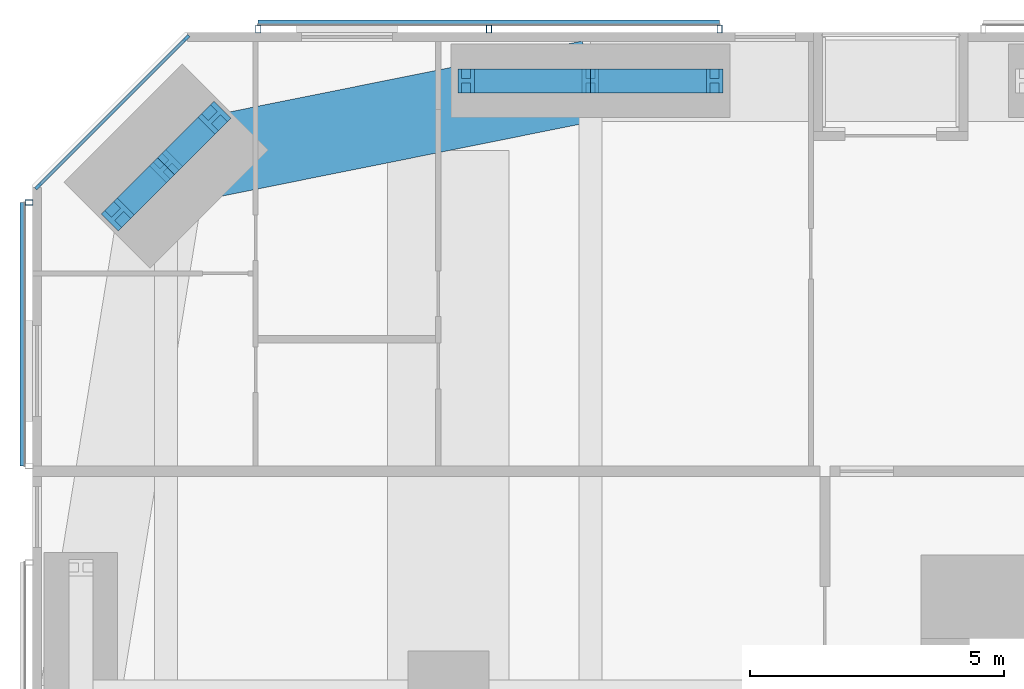
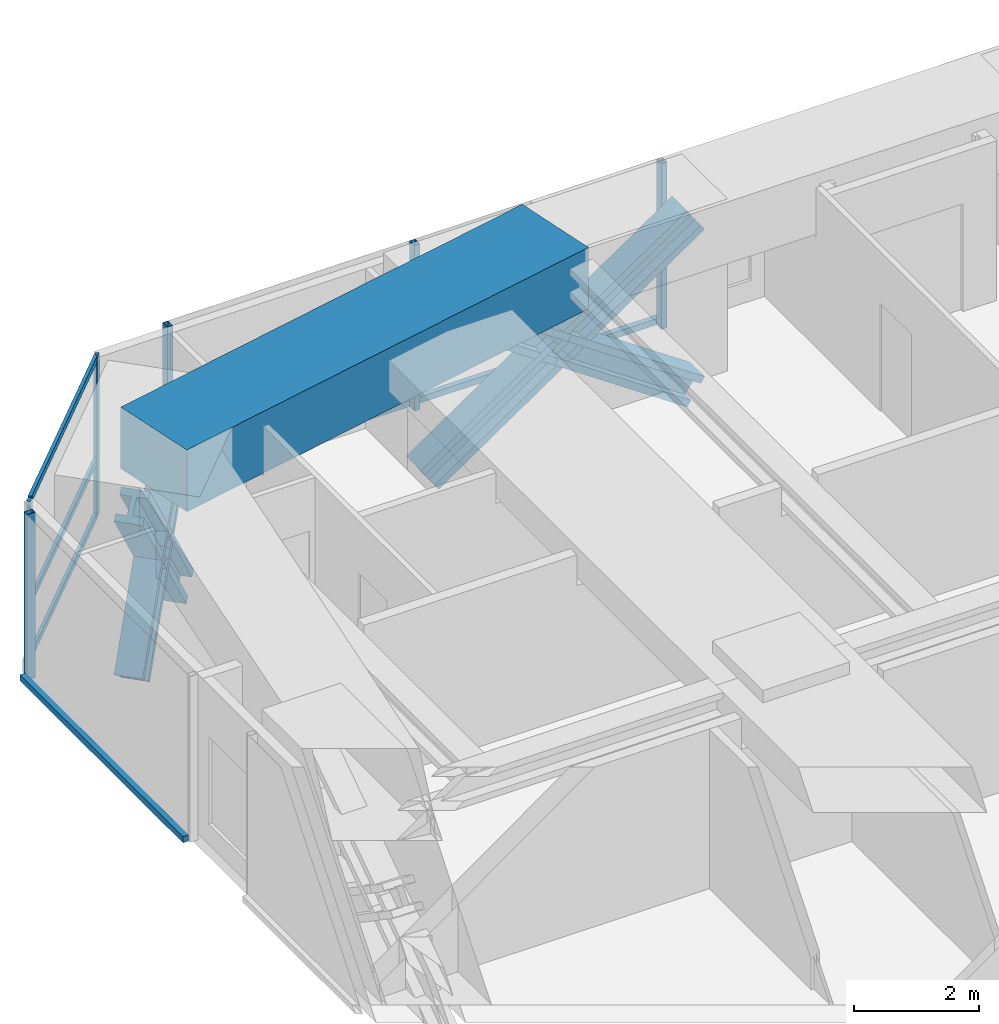
# One storey, part 12 of 24: 19 members, 1 beam, 3 elements without a shape of their own.
"""IFC4 building model written with IfcOpenShell, lengths in metres."""

from ifc_helpers import new_model, si_unit, direction, frame, origin, origin_2d, place, context, subcontext, project, spatial, rectangle, hollow_rectangle, i_section, extrude, material, material_profile, profile_set, type_object, element, aggregate, save


model = new_model("IFC4")

# Units and contexts
model_context = context("Model", 3, precision=1e-05, world=origin(), true_north=direction((0.0, 1.0)))
body_context = subcontext(model_context, "Body", "Model", "MODEL_VIEW")
ifc_project = project(units=[si_unit("LENGTHUNIT", "METRE"), si_unit("AREAUNIT", "SQUARE_METRE"), si_unit("VOLUMEUNIT", "CUBIC_METRE"), si_unit("PLANEANGLEUNIT", "RADIAN"), si_unit("MASSUNIT", "GRAM", prefix="KILO")], contexts=[model_context])

# Site, building, storey
site_placement = place(None, origin())
site = spatial("IfcSite", under=ifc_project, at=site_placement, CompositionType="ELEMENT")
building_placement = place(site_placement, origin())
building = spatial("IfcBuilding", under=site, at=building_placement, Name="Jalousie Tower", CompositionType="ELEMENT")
storey_placement = place(building_placement, frame((0.0, 0.0, 54.5)))
storey = spatial("IfcBuildingStorey", under=building, at=storey_placement, Name="L14", CompositionType="ELEMENT", Elevation=54.5)

# Curtain wall, members
ifc_material_1 = material(Name="Aluminium curtain wall", Category="aluminium")
curtain_wall_type_1 = type_object("IfcCurtainWallType", Name="CORNER WINDOW WALL", PredefinedType="USERDEFINED", material=ifc_material_1)
curtain_wall_1_placement = place(storey_placement, origin())
curtain_wall_1 = element("IfcCurtainWall", 1, at=curtain_wall_1_placement, inside=storey, type_object=curtain_wall_type_1, Name="Corner Window Wall L14 6", ObjectType="CORNER WINDOW WALL", PredefinedType="USERDEFINED")
ifc_material_2 = material(Name="Aluminium mullion", Category="aluminium")
ifc_material_profile_1 = material_profile(ifc_material_2, rectangle(XDim=0.06005859375, YDim=0.14990234375, at=origin_2d()), Name="MULLION 60x150")
ifc_profile_set_1 = profile_set([ifc_material_profile_1], Name="Aluminium mullion")
member_type_1 = type_object("IfcMemberType", Name="CORNER WINDOW WALL MULLION", PredefinedType="MULLION", material=ifc_profile_set_1)
member_1_placement = place(storey_placement, frame((5.030029296875, 37.891357421875, 0.0), z_axis=(0.0, 0.0, 1.0), x_axis=(0.707106781187, -0.707106781187, 0.0)))
member_1 = element("IfcMember", 2, at=member_1_placement, type_object=member_type_1, Name="CW-C mullion 1", PredefinedType="MULLION", context=body_context, shape_type="SweptSolid", body=[
    extrude(rectangle(XDim=0.06005859375, YDim=0.14990234375, at=origin_2d()), origin(), (0.0, 0.0, 1.0), 3.110107421875),
])
member_2_placement = place(storey_placement, frame((2.108642578125, 34.969970703125, 0.0), z_axis=(0.0, 0.0, 1.0), x_axis=(0.707106781187, -0.707106781187, 0.0)))
member_2 = element("IfcMember", 3, at=member_2_placement, type_object=member_type_1, Name="CW-C mullion 2", PredefinedType="MULLION", context=body_context, shape_type="SweptSolid", body=[
    extrude(rectangle(XDim=0.06005859375, YDim=0.14990234375, at=origin_2d()), origin(), (0.0, 0.0, 1.0), 3.110107421875),
])
ifc_material_3 = material(Name="Aluminium transom", Category="aluminium")
ifc_material_profile_2 = material_profile(ifc_material_3, rectangle(XDim=0.06005859375, YDim=0.1201171875, at=origin_2d()), Name="TRANSOM 60x120")
ifc_profile_set_2 = profile_set([ifc_material_profile_2], Name="Aluminium transom")
member_type_2 = type_object("IfcMemberType", Name="CORNER WINDOW WALL TRANSOM", PredefinedType="USERDEFINED", material=ifc_profile_set_2)
member_3_placement = place(storey_placement, frame((5.0087890625, 37.8701171875, 0.030029296875), z_axis=(-0.707106781187, -0.707106781187, 0.0), x_axis=(0.707106781187, -0.707106781187, 0.0)))
member_3 = element("IfcMember", 4, at=member_3_placement, type_object=member_type_2, Name="CW-C transom 1.1", ObjectType="TRANSOM", PredefinedType="USERDEFINED", context=body_context, shape_type="SweptSolid", body=[
    extrude(rectangle(XDim=0.06005859375, YDim=0.1201171875, at=origin_2d()), origin(), (0.0, 0.0, 1.0), 4.0712890625),
])
member_4_placement = place(storey_placement, frame((5.0087890625, 37.8701171875, 1.10009765625), z_axis=(-0.707106781187, -0.707106781187, 0.0), x_axis=(0.707106781187, -0.707106781187, 0.0)))
member_4 = element("IfcMember", 5, at=member_4_placement, type_object=member_type_2, Name="CW-C transom 1.2", ObjectType="TRANSOM", PredefinedType="USERDEFINED", context=body_context, shape_type="SweptSolid", body=[
    extrude(rectangle(XDim=0.06005859375, YDim=0.1201171875, at=origin_2d()), origin(), (0.0, 0.0, 1.0), 4.0712890625),
])
member_5_placement = place(storey_placement, frame((5.0087890625, 37.8701171875, 3.080078125), z_axis=(-0.707106781187, -0.707106781187, 0.0), x_axis=(0.707106781187, -0.707106781187, 0.0)))
member_5 = element("IfcMember", 6, at=member_5_placement, type_object=member_type_2, Name="CW-C transom 1.3", ObjectType="TRANSOM", PredefinedType="USERDEFINED", context=body_context, shape_type="SweptSolid", body=[
    extrude(rectangle(XDim=0.06005859375, YDim=0.1201171875, at=origin_2d()), origin(), (0.0, 0.0, 1.0), 4.0712890625),
])
aggregate(curtain_wall_1, [member_1, member_2, member_3, member_4, member_5])

# Members
ifc_material_4 = material(Name="Steel ASTM A992 Grade 50", Category="steel")
ifc_material_profile_3 = material_profile(ifc_material_4, i_section(OverallWidth=0.472412109375, OverallDepth=0.5791015625, WebThickness=0.094970703125, FlangeThickness=0.1298828125, at=origin_2d()), Name="W14X808")
ifc_profile_set_3 = profile_set([ifc_material_profile_3], Name="Steel ASTM A992 Grade 50")
member_type_3 = type_object("IfcMemberType", Name="PERIMETER BRACE W14X808", PredefinedType="BRACE", material=ifc_profile_set_3)
for number, where, z_axis, x_axis, name in (
    (7, (10.550048828125, 37.050048828125, -0.60009765625), (0.825500916831, 0.0, 0.564400776321), (0.0, 1.0, 0.0), "Perimeter brace 11 L14 part 1"),
    (8, (13.0, 37.050048828125, 1.074951171875), (0.825500916831, 0.0, 0.564400776321), (0.0, 1.0, 0.0), "Perimeter brace 11 L14 part 2"),
    (9, (15.449951171875, 37.050048828125, -0.60009765625), (-0.825500916831, 0.0, 0.564400776321), (0.0, -1.0, 0.0), "Perimeter brace 11 L14 part 3"),
    (10, (13.0, 37.050048828125, 1.074951171875), (-0.825500916831, 0.0, 0.564400776321), (0.0, -1.0, 0.0), "Perimeter brace 11 L14 part 4"),
):
    element("IfcMember", number, at=place(storey_placement, frame(where, z_axis=z_axis, x_axis=x_axis)), inside=storey, type_object=member_type_3, Name=name, PredefinedType="BRACE", context=body_context, shape_type="SweptSolid", body=[
        extrude(i_section(OverallWidth=0.472412109375, OverallDepth=0.5791015625, WebThickness=0.094970703125, FlangeThickness=0.1298828125, at=origin_2d()), origin(), (0.0, 0.0, 1.0), 2.9677734375),
    ])
for number, where, z_axis, x_axis, name in (
    (11, (5.5859375, 36.3232421875, -0.60009765625), (-0.443718327034, -0.443718327034, 0.778606506849), (0.707106781187, -0.707106781187, 0.0), "Perimeter brace 12 L14 part 1"),
    (12, (4.63134765625, 35.36865234375, 1.074951171875), (-0.443718327034, -0.443718327034, 0.778606506849), (0.707106781187, -0.707106781187, 0.0), "Perimeter brace 12 L14 part 2"),
    (13, (3.6767578125, 34.4140625, -0.60009765625), (0.443718327034, 0.443718327034, 0.778606506849), (-0.707106781187, 0.707106781187, 0.0), "Perimeter brace 12 L14 part 3"),
    (14, (4.63134765625, 35.36865234375, 1.074951171875), (0.443718327034, 0.443718327034, 0.778606506849), (-0.707106781187, 0.707106781187, 0.0), "Perimeter brace 12 L14 part 4"),
):
    element("IfcMember", number, at=place(storey_placement, frame(where, z_axis=z_axis, x_axis=x_axis)), inside=storey, type_object=member_type_3, Name=name, PredefinedType="BRACE", context=body_context, shape_type="SweptSolid", body=[
        extrude(i_section(OverallWidth=0.472412109375, OverallDepth=0.5791015625, WebThickness=0.094970703125, FlangeThickness=0.1298828125, at=origin_2d()), origin(), (0.0, 0.0, 1.0), 2.1513671875),
    ])

# Beam
ifc_material_5 = material(Name="Concrete f'c 40 MPa", Category="concrete")
ifc_material_profile_4 = material_profile(ifc_material_5, rectangle(XDim=1.60009765625, YDim=1.199951171875, at=origin_2d()), Name="RC 1600x1200")
ifc_profile_set_4 = profile_set([ifc_material_profile_4], Name="Concrete f'c 40 MPa")
beam_type = type_object("IfcBeamType", Name="RC BEAM 1600x1200", PredefinedType="BEAM", material=ifc_profile_set_4)
beam_placement = place(storey_placement, frame((13.0, 37.050048828125, 2.75), z_axis=(-0.980407585444, -0.196979609107, 0.0), x_axis=(0.196979609107, -0.980407585444, 0.0)))
element("IfcBeam", 15, at=beam_placement, inside=storey, type_object=beam_type, Name="Edge band beam 11-12 under L15", PredefinedType="BEAM", context=body_context, shape_type="SweptSolid", body=[
    extrude(rectangle(XDim=1.60009765625, YDim=1.199951171875, at=origin_2d()), origin(), (0.0, 0.0, 1.0), 8.535888671875),
])

# Curtain wall, members
ifc_material_6 = material(Name="Perforated aluminium sheet", Category="aluminium")
curtain_wall_type_2 = type_object("IfcCurtainWallType", Name="SOLAR SCREEN SS-1", PredefinedType="USERDEFINED", material=ifc_material_6)
curtain_wall_2_placement = place(storey_placement, origin())
curtain_wall_2 = element("IfcCurtainWall", 16, at=curtain_wall_2_placement, inside=storey, type_object=curtain_wall_type_2, Name="Solar screen L14", ObjectType="SOLAR SCREEN SS-1", PredefinedType="USERDEFINED")
ifc_material_7 = material(Name="Steel ASTM A500 Grade C", Category="steel")
ifc_material_profile_5 = material_profile(ifc_material_7, hollow_rectangle(XDim=0.1015625, YDim=0.15234375, WallThickness=0.00634765625, at=origin_2d()), Name="HSS6X4X1/4")
ifc_profile_set_5 = profile_set([ifc_material_profile_5], Name="Steel ASTM A500 Grade C")
member_type_4 = type_object("IfcMemberType", Name="SOLAR SCREEN SS-1 MULLION", PredefinedType="MULLION", material=ifc_profile_set_5)
member_6_placement = place(storey_placement, frame((15.550048828125, 38.0712890625, -0.1201171875), z_axis=(0.0, 0.0, 1.0), x_axis=(-1.0, 0.0, 0.0)))
member_6 = element("IfcMember", 17, at=member_6_placement, type_object=member_type_4, Name="SS1 post 1", PredefinedType="MULLION", context=body_context, shape_type="SweptSolid", body=[
    extrude(hollow_rectangle(XDim=0.1015625, YDim=0.15234375, WallThickness=0.00634765625, at=origin_2d()), origin(), (0.0, 0.0, 1.0), 3.230224609375),
])
member_7_placement = place(storey_placement, frame((11.0, 38.0712890625, -0.1201171875), z_axis=(0.0, 0.0, 1.0), x_axis=(-1.0, 0.0, 0.0)))
member_7 = element("IfcMember", 18, at=member_7_placement, type_object=member_type_4, Name="SS1 post 2", PredefinedType="MULLION", context=body_context, shape_type="SweptSolid", body=[
    extrude(hollow_rectangle(XDim=0.1015625, YDim=0.15234375, WallThickness=0.00634765625, at=origin_2d()), origin(), (0.0, 0.0, 1.0), 3.230224609375),
])
member_8_placement = place(storey_placement, frame((6.449951171875, 38.0712890625, -0.1201171875), z_axis=(0.0, 0.0, 1.0), x_axis=(-1.0, 0.0, 0.0)))
member_8 = element("IfcMember", 19, at=member_8_placement, type_object=member_type_4, Name="SS1 post 3", PredefinedType="MULLION", context=body_context, shape_type="SweptSolid", body=[
    extrude(hollow_rectangle(XDim=0.1015625, YDim=0.15234375, WallThickness=0.00634765625, at=origin_2d()), origin(), (0.0, 0.0, 1.0), 3.230224609375),
])

# Curtain wall, member
curtain_wall_3_placement = place(storey_placement, origin())
curtain_wall_3 = element("IfcCurtainWall", 20, at=curtain_wall_3_placement, inside=storey, type_object=curtain_wall_type_2, Name="Solar screen L14", ObjectType="SOLAR SCREEN SS-1", PredefinedType="USERDEFINED")
member_9_placement = place(storey_placement, frame((1.9287109375, 34.648681640625, -0.1201171875), z_axis=(0.0, 0.0, 1.0), x_axis=(0.0, -1.0, 0.0)))
member_9 = element("IfcMember", 21, at=member_9_placement, type_object=member_type_4, Name="SS1 post 1", PredefinedType="MULLION", context=body_context, shape_type="SweptSolid", body=[
    extrude(hollow_rectangle(XDim=0.1015625, YDim=0.15234375, WallThickness=0.00634765625, at=origin_2d()), origin(), (0.0, 0.0, 1.0), 3.230224609375),
])

# Member
ifc_material_8 = material(Name="Extruded aluminium screen rail", Category="aluminium")
ifc_material_profile_6 = material_profile(ifc_material_8, rectangle(XDim=0.1015625, YDim=0.1201171875, at=origin_2d()), Name="RAIL 102x120")
ifc_profile_set_6 = profile_set([ifc_material_profile_6], Name="Extruded aluminium screen rail")
member_type_5 = type_object("IfcMemberType", Name="SOLAR SCREEN SS-1 TRANSOM", PredefinedType="USERDEFINED", material=ifc_profile_set_6)
member_10_placement = place(storey_placement, frame((15.550048828125, 38.1982421875, -0.06005859375), z_axis=(-1.0, 0.0, 0.0), x_axis=(0.0, -1.0, 0.0)))
member_10 = element("IfcMember", 22, at=member_10_placement, type_object=member_type_5, Name="SS1 rail", ObjectType="TRANSOM", PredefinedType="USERDEFINED", context=body_context, shape_type="SweptSolid", body=[
    extrude(rectangle(XDim=0.1015625, YDim=0.1201171875, at=origin_2d()), origin(), (0.0, 0.0, 1.0), 9.10009765625),
])

aggregate(curtain_wall_2, [member_6, member_7, member_8, member_10])

member_11_placement = place(storey_placement, frame((1.8017578125, 34.648681640625, -0.06005859375), z_axis=(0.0, -1.0, 0.0), x_axis=(1.0, 0.0, 0.0)))
member_11 = element("IfcMember", 23, at=member_11_placement, type_object=member_type_5, Name="SS1 rail", ObjectType="TRANSOM", PredefinedType="USERDEFINED", context=body_context, shape_type="SweptSolid", body=[
    extrude(rectangle(XDim=0.1015625, YDim=0.1201171875, at=origin_2d()), origin(), (0.0, 0.0, 1.0), 5.19873046875),
])

aggregate(curtain_wall_3, [member_9, member_11])

save(model, "model.ifc")
